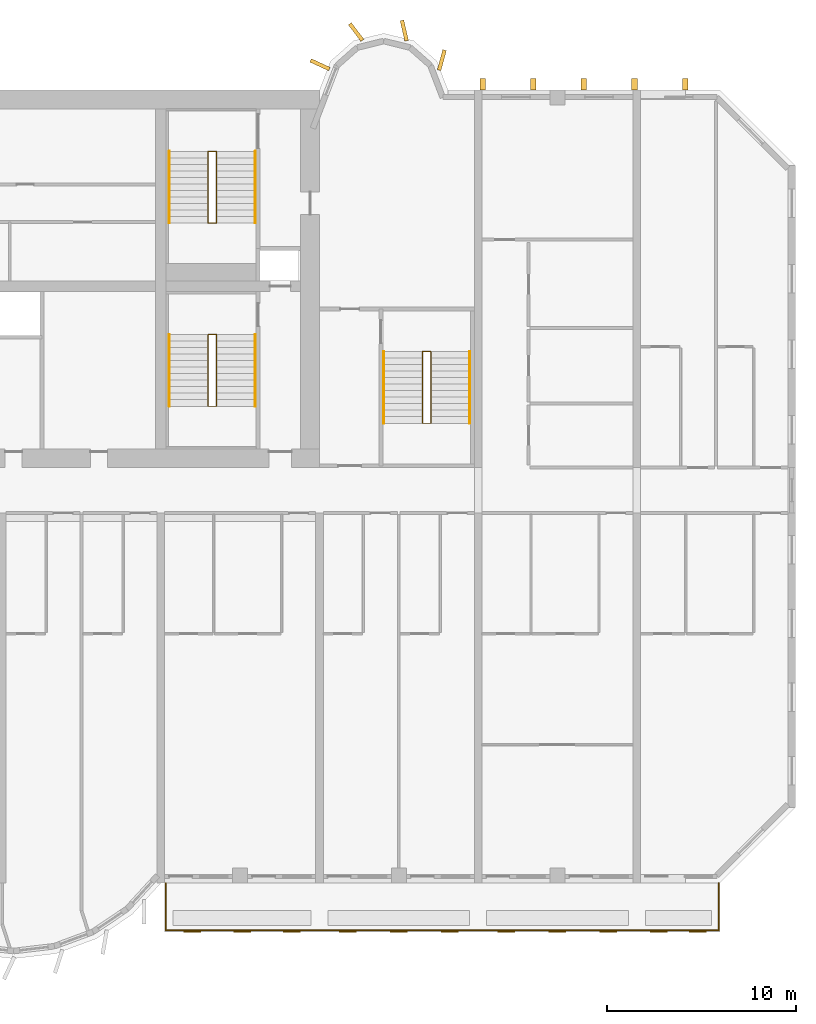
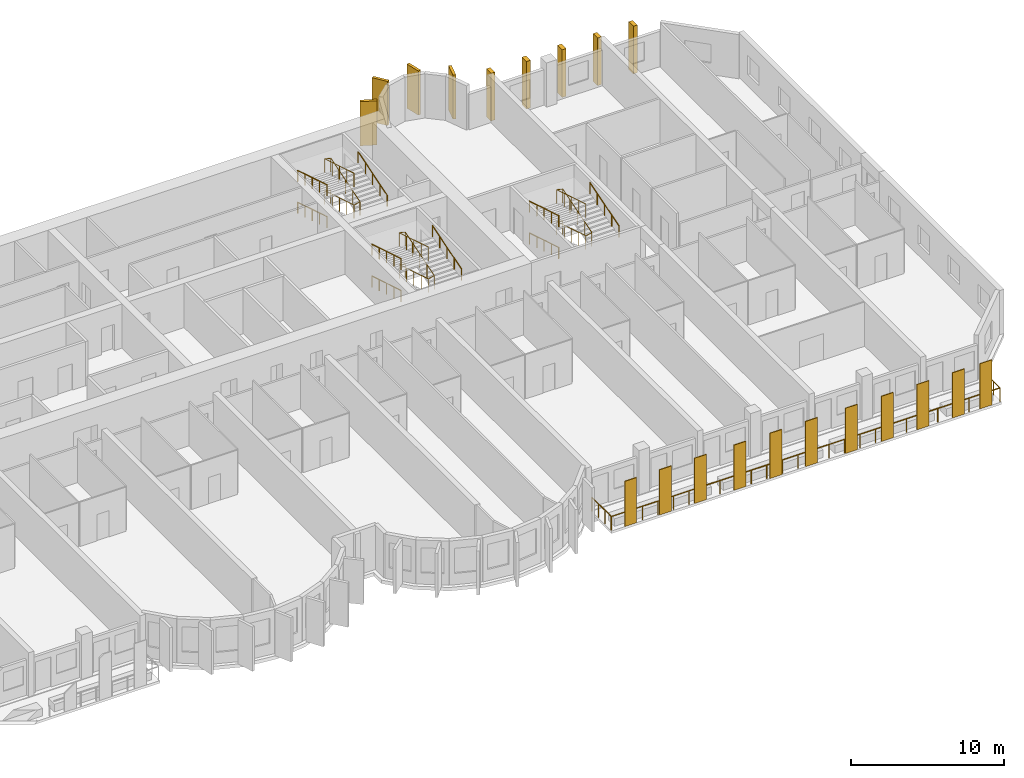
# One storey, part 14 of 15: 20 coverings, 13 railings.
"""IFC4 building model written with IfcOpenShell, lengths in metres."""

from ifc_helpers import new_model, si_unit, direction, frame, origin, origin_2d, place, context, subcontext, project, spatial, rectangle, circle, extrude, source, transform, mapped, material, layer, layer_set, material_profile, profile_set, type_object, element, save


model = new_model("IFC4")

# Units and contexts
model_context = context("Model", 3, precision=1e-05, world=origin(), true_north=direction((0.0, 1.0)))
body_context = subcontext(model_context, "Body", "Model", "MODEL_VIEW")
ifc_project = project(units=[si_unit("LENGTHUNIT", "METRE"), si_unit("AREAUNIT", "SQUARE_METRE"), si_unit("VOLUMEUNIT", "CUBIC_METRE"), si_unit("PLANEANGLEUNIT", "RADIAN"), si_unit("MASSUNIT", "GRAM", prefix="KILO")], contexts=[model_context])

# Site, building, storey
site_placement = place(None, origin())
site = spatial("IfcSite", under=ifc_project, at=site_placement, CompositionType="ELEMENT")
building_placement = place(site_placement, origin())
building = spatial("IfcBuilding", under=site, at=building_placement, Name="Vanashikhar Sky Hotel", CompositionType="ELEMENT")
storey_placement = place(building_placement, frame((0.0, 0.0, 46.800048828125)))
storey = spatial("IfcBuildingStorey", under=building, at=storey_placement, Name="L10", CompositionType="ELEMENT", Elevation=46.800048828125)

# Railing
ifc_material_1 = material(Name="Stainless steel 316", Category="steel")
railing_type_1 = type_object("IfcRailingType", Name="Balcony guard 1100", PredefinedType="GUARDRAIL", material=ifc_material_1)
shared_shape_1 = source(origin(), body_context, "Body", "SweptSolid", [
    extrude(circle(Radius=0.02392578125, at=origin_2d()), frame((0.0, 0.0, 1.076171875), z_axis=(0.0, -1.0, 0.0), x_axis=(1.0, 0.0, 0.0)), (0.0, 0.0, 1.0), 2.5),
    extrude(circle(Radius=0.02392578125, at=origin_2d()), frame((0.0, -2.5, 1.076171875), z_axis=(1.0, 0.0, 0.0), x_axis=(0.0, 1.0, 0.0)), (0.0, 0.0, 1.0), 29.280029296875),
    extrude(circle(Radius=0.02392578125, at=origin_2d()), frame((29.280029296875, -2.5, 1.076171875), z_axis=(0.0, 1.0, 0.0), x_axis=(-1.0, 0.0, 0.0)), (0.0, 0.0, 1.0), 2.5),
    extrude(circle(Radius=0.02099609375, at=origin_2d()), origin(), (0.0, 0.0, 1.0), 1.052001953125),
    extrude(circle(Radius=0.02099609375, at=origin_2d()), frame((0.0, -0.833251953125, 0.0)), (0.0, 0.0, 1.0), 1.052001953125),
    extrude(circle(Radius=0.02099609375, at=origin_2d()), frame((0.0, -1.666748046875, 0.0)), (0.0, 0.0, 1.0), 1.052001953125),
    extrude(circle(Radius=0.02099609375, at=origin_2d()), frame((0.0, -2.5, 0.0)), (0.0, 0.0, 1.0), 1.052001953125),
    extrude(circle(Radius=0.02099609375, at=origin_2d()), frame((1.171142578125, -2.5, 0.0)), (0.0, 0.0, 1.0), 1.052001953125),
    extrude(circle(Radius=0.02099609375, at=origin_2d()), frame((2.34228515625, -2.5, 0.0)), (0.0, 0.0, 1.0), 1.052001953125),
    extrude(circle(Radius=0.02099609375, at=origin_2d()), frame((3.513671875, -2.5, 0.0)), (0.0, 0.0, 1.0), 1.052001953125),
    extrude(circle(Radius=0.02099609375, at=origin_2d()), frame((4.684814453125, -2.5, 0.0)), (0.0, 0.0, 1.0), 1.052001953125),
    extrude(circle(Radius=0.02099609375, at=origin_2d()), frame((5.85595703125, -2.5, 0.0)), (0.0, 0.0, 1.0), 1.052001953125),
    extrude(circle(Radius=0.02099609375, at=origin_2d()), frame((7.027099609375, -2.5, 0.0)), (0.0, 0.0, 1.0), 1.052001953125),
    extrude(circle(Radius=0.02099609375, at=origin_2d()), frame((8.198486328125, -2.5, 0.0)), (0.0, 0.0, 1.0), 1.052001953125),
    extrude(circle(Radius=0.02099609375, at=origin_2d()), frame((9.36962890625, -2.5, 0.0)), (0.0, 0.0, 1.0), 1.052001953125),
    extrude(circle(Radius=0.02099609375, at=origin_2d()), frame((10.540771484375, -2.5, 0.0)), (0.0, 0.0, 1.0), 1.052001953125),
    extrude(circle(Radius=0.02099609375, at=origin_2d()), frame((11.7119140625, -2.5, 0.0)), (0.0, 0.0, 1.0), 1.052001953125),
    extrude(circle(Radius=0.02099609375, at=origin_2d()), frame((12.88330078125, -2.5, 0.0)), (0.0, 0.0, 1.0), 1.052001953125),
    extrude(circle(Radius=0.02099609375, at=origin_2d()), frame((14.054443359375, -2.5, 0.0)), (0.0, 0.0, 1.0), 1.052001953125),
    extrude(circle(Radius=0.02099609375, at=origin_2d()), frame((15.2255859375, -2.5, 0.0)), (0.0, 0.0, 1.0), 1.052001953125),
    extrude(circle(Radius=0.02099609375, at=origin_2d()), frame((16.396728515625, -2.5, 0.0)), (0.0, 0.0, 1.0), 1.052001953125),
    extrude(circle(Radius=0.02099609375, at=origin_2d()), frame((17.568115234375, -2.5, 0.0)), (0.0, 0.0, 1.0), 1.052001953125),
    extrude(circle(Radius=0.02099609375, at=origin_2d()), frame((18.7392578125, -2.5, 0.0)), (0.0, 0.0, 1.0), 1.052001953125),
    extrude(circle(Radius=0.02099609375, at=origin_2d()), frame((19.910400390625, -2.5, 0.0)), (0.0, 0.0, 1.0), 1.052001953125),
    extrude(circle(Radius=0.02099609375, at=origin_2d()), frame((21.08154296875, -2.5, 0.0)), (0.0, 0.0, 1.0), 1.052001953125),
    extrude(circle(Radius=0.02099609375, at=origin_2d()), frame((22.2529296875, -2.5, 0.0)), (0.0, 0.0, 1.0), 1.052001953125),
    extrude(circle(Radius=0.02099609375, at=origin_2d()), frame((23.424072265625, -2.5, 0.0)), (0.0, 0.0, 1.0), 1.052001953125),
    extrude(circle(Radius=0.02099609375, at=origin_2d()), frame((24.59521484375, -2.5, 0.0)), (0.0, 0.0, 1.0), 1.052001953125),
    extrude(circle(Radius=0.02099609375, at=origin_2d()), frame((25.766357421875, -2.5, 0.0)), (0.0, 0.0, 1.0), 1.052001953125),
    extrude(circle(Radius=0.02099609375, at=origin_2d()), frame((26.937744140625, -2.5, 0.0)), (0.0, 0.0, 1.0), 1.052001953125),
    extrude(circle(Radius=0.02099609375, at=origin_2d()), frame((28.10888671875, -2.5, 0.0)), (0.0, 0.0, 1.0), 1.052001953125),
    extrude(circle(Radius=0.02099609375, at=origin_2d()), frame((29.280029296875, -2.5, 0.0)), (0.0, 0.0, 1.0), 1.052001953125),
    extrude(circle(Radius=0.02099609375, at=origin_2d()), frame((29.280029296875, -1.666748046875, 0.0)), (0.0, 0.0, 1.0), 1.052001953125),
    extrude(circle(Radius=0.02099609375, at=origin_2d()), frame((29.280029296875, -0.833251953125, 0.0)), (0.0, 0.0, 1.0), 1.052001953125),
    extrude(circle(Radius=0.02099609375, at=origin_2d()), frame((29.280029296875, 0.0, 0.0)), (0.0, 0.0, 1.0), 1.052001953125),
])
railing_1_placement = place(storey_placement, frame((67.4599609375, 0.0, -0.050048828125)))
element("IfcRailing", 1, at=railing_1_placement, inside=storey, type_object=railing_type_1, Name="Balcony guard", PredefinedType="GUARDRAIL", context=body_context, shape_type="MappedRepresentation", body=[
    mapped(shared_shape_1, transform((0.0, 0.0, 0.0), scale=1.0)),
])

# Coverings
ifc_material_2 = material(Name="Terracotta", Category="masonry")
ifc_layer = layer(ifc_material_2, 0.06005859375)
ifc_layer_set = layer_set([ifc_layer], Name="Terracotta baguette screen")
covering_type_1 = type_object("IfcCoveringType", Name="Terracotta baguette screen", PredefinedType="CLADDING", material=ifc_layer_set)
shared_shape_2 = source(origin(), body_context, "Body", "SweptSolid", [
    extrude(rectangle(XDim=0.89990234375, YDim=0.06005859375, at=origin_2d()), origin(), (0.0, 0.0, 1.0), 3.60009765625),
])
for number, where, z_axis, x_axis, name in (
    (2, (68.86669921875, -2.570068359375, -0.050048828125), (0.0, 0.0, 1.0), (1.0, 0.0, 0.0), "Terracotta screen"),
    (3, (71.5, -2.570068359375, -0.050048828125), (0.0, 0.0, 1.0), (1.0, 0.0, 0.0), "Terracotta screen"),
    (4, (74.13330078125, -2.570068359375, -0.050048828125), (0.0, 0.0, 1.0), (1.0, 0.0, 0.0), "Terracotta screen"),
    (5, (77.10009765625, -2.570068359375, -0.050048828125), (0.0, 0.0, 1.0), (1.0, 0.0, 0.0), "Terracotta screen"),
    (6, (79.800048828125, -2.570068359375, -0.050048828125), (0.0, 0.0, 1.0), (1.0, 0.0, 0.0), "Terracotta screen"),
    (7, (82.5, -2.570068359375, -0.050048828125), (0.0, 0.0, 1.0), (1.0, 0.0, 0.0), "Terracotta screen"),
    (8, (85.5, -2.570068359375, -0.050048828125), (0.0, 0.0, 1.0), (1.0, 0.0, 0.0), "Terracotta screen"),
    (9, (88.199951171875, -2.570068359375, -0.050048828125), (0.0, 0.0, 1.0), (1.0, 0.0, 0.0), "Terracotta screen"),
    (10, (90.89990234375, -2.570068359375, -0.050048828125), (0.0, 0.0, 1.0), (1.0, 0.0, 0.0), "Terracotta screen"),
    (11, (93.574951171875, -2.570068359375, -0.050048828125), (0.0, 0.0, 1.0), (1.0, 0.0, 0.0), "Terracotta screen"),
    (12, (95.625, -2.570068359375, -0.050048828125), (0.0, 0.0, 1.0), (1.0, 0.0, 0.0), "Terracotta screen"),
):
    element("IfcCovering", number, at=place(storey_placement, frame(where, z_axis=z_axis, x_axis=x_axis)), inside=storey, type_object=covering_type_1, Name=name, PredefinedType="CLADDING", context=body_context, shape_type="MappedRepresentation", body=[
        mapped(shared_shape_2, transform((0.0, 0.0, 0.0), scale=1.0)),
    ])
ifc_material_3 = material(Name="Concrete M60 dark", Category="concrete")
ifc_material_profile_1 = material_profile(ifc_material_3, rectangle(XDim=1.10009765625, YDim=0.199951171875, at=origin_2d()))
ifc_profile_set_1 = profile_set([ifc_material_profile_1], Name="Rear lobe fin 1100 x 200")
covering_type_2 = type_object("IfcCoveringType", Name="Rear lobe fin 1100 x 200", PredefinedType="CLADDING", material=ifc_profile_set_1)
shared_shape_3 = source(origin(), body_context, "Body", "SweptSolid", [
    extrude(rectangle(XDim=1.10009765625, YDim=0.199951171875, at=origin_2d()), origin(), (0.0, 0.0, 1.0), 3.52001953125),
])
for number, where, z_axis, x_axis, name in (
    (13, (75.63037109375, 43.33447265625, 0.0), (0.0, 0.0, 1.0), (-0.908004291068, 0.418960866193, 0.0), "Fin R2-1"),
    (14, (77.5380859375, 45.06640625, 0.0), (0.0, 0.0, 1.0), (-0.602065892195, 0.798446404874, 0.0), "Fin R2-2"),
    (15, (80.08984375, 45.1455078125, 0.0), (0.0, 0.0, 1.0), (-0.224644935864, 0.974440687159, 0.0), "Fin R2-3"),
    (16, (82.0791015625, 43.580078125, 0.0), (0.0, 0.0, 1.0), (0.262711264409, 0.964874495234, 0.0), "Fin R2-4"),
):
    element("IfcCovering", number, at=place(storey_placement, frame(where, z_axis=z_axis, x_axis=x_axis)), inside=storey, type_object=covering_type_2, Name=name, PredefinedType="CLADDING", context=body_context, shape_type="MappedRepresentation", body=[
        mapped(shared_shape_3, transform((0.0, 0.0, 0.0), scale=1.0)),
    ])
ifc_material_profile_2 = material_profile(ifc_material_3, rectangle(XDim=0.60009765625, YDim=0.300048828125, at=origin_2d()))
ifc_profile_set_2 = profile_set([ifc_material_profile_2], Name="Rear rib 600 x 300")
covering_type_3 = type_object("IfcCoveringType", Name="Rear rib 600 x 300", PredefinedType="CLADDING", material=ifc_profile_set_2)
shared_shape_4 = source(origin(), body_context, "Body", "SweptSolid", [
    extrude(rectangle(XDim=0.60009765625, YDim=0.300048828125, at=origin_2d()), origin(), (0.0, 0.0, 1.0), 3.800048828125),
])
for number, where, z_axis, x_axis, name in (
    (17, (84.239990234375, 42.300048828125, -0.280029296875), (0.0, 0.0, 1.0), (0.0, 1.0, 0.0), "Rear rib"),
    (18, (86.919921875, 42.300048828125, -0.280029296875), (0.0, 0.0, 1.0), (0.0, 1.0, 0.0), "Rear rib"),
    (19, (89.60009765625, 42.300048828125, -0.280029296875), (0.0, 0.0, 1.0), (0.0, 1.0, 0.0), "Rear rib"),
    (20, (92.280029296875, 42.300048828125, -0.280029296875), (0.0, 0.0, 1.0), (0.0, 1.0, 0.0), "Rear rib"),
    (21, (94.9599609375, 42.300048828125, -0.280029296875), (0.0, 0.0, 1.0), (0.0, 1.0, 0.0), "Rear rib"),
):
    element("IfcCovering", number, at=place(storey_placement, frame(where, z_axis=z_axis, x_axis=x_axis)), inside=storey, type_object=covering_type_3, Name=name, PredefinedType="CLADDING", context=body_context, shape_type="MappedRepresentation", body=[
        mapped(shared_shape_4, transform((0.0, 0.0, 0.0), scale=1.0)),
    ])

# Railings
ifc_material_4 = material(Name="Steel S355", Category="steel")
railing_type_2 = type_object("IfcRailingType", Name="Stair handrail 900", PredefinedType="HANDRAIL", material=ifc_material_4)
shared_shape_5 = source(origin(), body_context, "Body", "SweptSolid", [
    extrude(circle(Radius=0.02392578125, at=origin_2d()), frame((0.0, 0.0, 0.8759765625), z_axis=(0.0, 0.95635109408, 0.292220096591), x_axis=(-1.0, 0.0, 0.0)), (0.0, 0.0, 1.0), 3.973388671875),
    extrude(circle(Radius=0.02099609375, at=origin_2d()), origin(), (0.0, 0.0, 1.0), 0.851806640625),
    extrude(circle(Radius=0.02099609375, at=origin_2d()), frame((0.0, 0.949951171875, 0.290283203125)), (0.0, 0.0, 1.0), 0.851806640625),
    extrude(circle(Radius=0.02099609375, at=origin_2d()), frame((0.0, 1.89990234375, 0.58056640625)), (0.0, 0.0, 1.0), 0.851806640625),
    extrude(circle(Radius=0.02099609375, at=origin_2d()), frame((0.0, 2.85009765625, 0.870849609375)), (0.0, 0.0, 1.0), 0.851806640625),
    extrude(circle(Radius=0.02099609375, at=origin_2d()), frame((0.0, 3.800048828125, 1.1611328125)), (0.0, 0.0, 1.0), 0.851806640625),
])
for number, where, name in (
    (22, (72.199951171875, 25.25, 1.3720703125), "Exit stair 2 handrail"),
    (23, (72.199951171875, 34.949951171875, 1.3720703125), "Exit stair 6 handrail"),
):
    element("IfcRailing", number, at=place(storey_placement, frame(where)), inside=storey, type_object=railing_type_2, Name=name, PredefinedType="HANDRAIL", context=body_context, shape_type="MappedRepresentation", body=[
        mapped(shared_shape_5, transform((0.0, 0.0, 0.0), scale=1.0)),
    ])
shared_shape_6 = source(origin(), body_context, "Body", "SweptSolid", [
    extrude(circle(Radius=0.02392578125, at=origin_2d()), frame((0.0, 0.0, 0.8759765625), z_axis=(0.0, -0.95635109408, 0.292220096591), x_axis=(1.0, 0.0, 0.0)), (0.0, 0.0, 1.0), 3.973388671875),
    extrude(circle(Radius=0.02099609375, at=origin_2d()), origin(), (0.0, 0.0, 1.0), 0.851806640625),
    extrude(circle(Radius=0.02099609375, at=origin_2d()), frame((0.0, -0.949951171875, 0.290283203125)), (0.0, 0.0, 1.0), 0.851806640625),
    extrude(circle(Radius=0.02099609375, at=origin_2d()), frame((0.0, -1.89990234375, 0.58056640625)), (0.0, 0.0, 1.0), 0.851806640625),
    extrude(circle(Radius=0.02099609375, at=origin_2d()), frame((0.0, -2.85009765625, 0.870849609375)), (0.0, 0.0, 1.0), 0.851806640625),
    extrude(circle(Radius=0.02099609375, at=origin_2d()), frame((0.0, -3.800048828125, 1.1611328125)), (0.0, 0.0, 1.0), 0.851806640625),
])
for number, where, name in (
    (24, (67.64990234375, 29.050048828125, 0.10546875), "Exit stair 2 handrail"),
    (25, (67.64990234375, 29.050048828125, 2.638916015625), "Exit stair 2 handrail"),
    (26, (67.64990234375, 38.75, 0.10546875), "Exit stair 6 handrail"),
    (27, (67.64990234375, 38.75, 2.638916015625), "Exit stair 6 handrail"),
):
    element("IfcRailing", number, at=place(storey_placement, frame(where)), inside=storey, type_object=railing_type_2, Name=name, PredefinedType="HANDRAIL", context=body_context, shape_type="MappedRepresentation", body=[
        mapped(shared_shape_6, transform((0.0, 0.0, 0.0), scale=1.0)),
    ])
railing_type_3 = type_object("IfcRailingType", Name="Stair guard 1100", PredefinedType="GUARDRAIL", material=ifc_material_4)
shared_shape_7 = source(origin(), body_context, "Body", "SweptSolid", [
    extrude(circle(Radius=0.02392578125, at=origin_2d()), frame((0.0, 0.0, 1.076171875), z_axis=(-0.973610808694, 0.0, 0.228214796178), x_axis=(0.0, -1.0, 0.0)), (0.0, 0.0, 1.0), 0.462158203125),
    extrude(circle(Radius=0.02392578125, at=origin_2d()), frame((-0.449951171875, 0.0, 1.181640625), z_axis=(0.0, -0.95635109408, 0.292220096591), x_axis=(1.0, 0.0, 0.0)), (0.0, 0.0, 1.0), 3.973388671875),
    extrude(circle(Radius=0.02392578125, at=origin_2d()), frame((-0.449951171875, -3.800048828125, 2.3427734375), z_axis=(0.973610808694, 0.0, 0.228214796178), x_axis=(0.0, 1.0, 0.0)), (0.0, 0.0, 1.0), 0.462158203125),
    extrude(circle(Radius=0.02392578125, at=origin_2d()), frame((0.0, -3.800048828125, 2.4482421875), z_axis=(0.0, 0.95635109408, 0.292220096591), x_axis=(-1.0, 0.0, 0.0)), (0.0, 0.0, 1.0), 3.973388671875),
    extrude(circle(Radius=0.02392578125, at=origin_2d()), frame((0.0, 0.0, 3.609375), z_axis=(-0.973493315427, 0.0, 0.228715466945), x_axis=(0.0, -1.0, 0.0)), (0.0, 0.0, 1.0), 0.462158203125),
    extrude(circle(Radius=0.02392578125, at=origin_2d()), frame((-0.449951171875, 0.0, 3.71484375), z_axis=(0.0, -0.95635109408, 0.292220096591), x_axis=(1.0, 0.0, 0.0)), (0.0, 0.0, 1.0), 3.973388671875),
    extrude(circle(Radius=0.02099609375, at=origin_2d()), origin(), (0.0, 0.0, 1.0), 1.052001953125),
    extrude(circle(Radius=0.02099609375, at=origin_2d()), frame((-0.449951171875, 0.0, 0.10546875)), (0.0, 0.0, 1.0), 1.052001953125),
    extrude(circle(Radius=0.02099609375, at=origin_2d()), frame((-0.449951171875, -0.949951171875, 0.395751953125)), (0.0, 0.0, 1.0), 1.052001953125),
    extrude(circle(Radius=0.02099609375, at=origin_2d()), frame((-0.449951171875, -1.89990234375, 0.68603515625)), (0.0, 0.0, 1.0), 1.052001953125),
    extrude(circle(Radius=0.02099609375, at=origin_2d()), frame((-0.449951171875, -2.85009765625, 0.976318359375)), (0.0, 0.0, 1.0), 1.052001953125),
    extrude(circle(Radius=0.02099609375, at=origin_2d()), frame((-0.449951171875, -3.800048828125, 1.2666015625)), (0.0, 0.0, 1.0), 1.052001953125),
    extrude(circle(Radius=0.02099609375, at=origin_2d()), frame((0.0, -3.800048828125, 1.3720703125)), (0.0, 0.0, 1.0), 1.052001953125),
    extrude(circle(Radius=0.02099609375, at=origin_2d()), frame((0.0, -2.85009765625, 1.662353515625)), (0.0, 0.0, 1.0), 1.052001953125),
    extrude(circle(Radius=0.02099609375, at=origin_2d()), frame((0.0, -1.89990234375, 1.95263671875)), (0.0, 0.0, 1.0), 1.052001953125),
    extrude(circle(Radius=0.02099609375, at=origin_2d()), frame((0.0, -0.949951171875, 2.242919921875)), (0.0, 0.0, 1.0), 1.052001953125),
    extrude(circle(Radius=0.02099609375, at=origin_2d()), frame((0.0, 0.0, 2.533203125)), (0.0, 0.0, 1.0), 1.052001953125),
    extrude(circle(Radius=0.02099609375, at=origin_2d()), frame((-0.449951171875, 0.0, 2.638916015625)), (0.0, 0.0, 1.0), 1.052001953125),
    extrude(circle(Radius=0.02099609375, at=origin_2d()), frame((-0.449951171875, -0.949951171875, 2.92919921875)), (0.0, 0.0, 1.0), 1.052001953125),
    extrude(circle(Radius=0.02099609375, at=origin_2d()), frame((-0.449951171875, -1.89990234375, 3.219482421875)), (0.0, 0.0, 1.0), 1.052001953125),
    extrude(circle(Radius=0.02099609375, at=origin_2d()), frame((-0.449951171875, -2.85009765625, 3.509765625)), (0.0, 0.0, 1.0), 1.052001953125),
    extrude(circle(Radius=0.02099609375, at=origin_2d()), frame((-0.449951171875, -3.800048828125, 3.800048828125)), (0.0, 0.0, 1.0), 1.052001953125),
])
for number, where, name in (
    (28, (70.14990234375, 29.050048828125, 0.0), "Exit stair 2 guard"),
    (29, (70.14990234375, 38.75, 0.0), "Exit stair 6 guard"),
):
    element("IfcRailing", number, at=place(storey_placement, frame(where)), inside=storey, type_object=railing_type_3, Name=name, PredefinedType="GUARDRAIL", context=body_context, shape_type="MappedRepresentation", body=[
        mapped(shared_shape_7, transform((0.0, 0.0, 0.0), scale=1.0)),
    ])
shared_shape_8 = source(origin(), body_context, "Body", "SweptSolid", [
    extrude(circle(Radius=0.02392578125, at=origin_2d()), frame((0.0, 0.0, 0.8759765625), z_axis=(0.0, 0.956345846891, 0.292237268557), x_axis=(-1.0, 0.0, 0.0)), (0.0, 0.0, 1.0), 3.97314453125),
    extrude(circle(Radius=0.02099609375, at=origin_2d()), origin(), (0.0, 0.0, 1.0), 0.851806640625),
    extrude(circle(Radius=0.02099609375, at=origin_2d()), frame((0.0, 0.949951171875, 0.290283203125)), (0.0, 0.0, 1.0), 0.851806640625),
    extrude(circle(Radius=0.02099609375, at=origin_2d()), frame((0.0, 1.89990234375, 0.58056640625)), (0.0, 0.0, 1.0), 0.851806640625),
    extrude(circle(Radius=0.02099609375, at=origin_2d()), frame((0.0, 2.849853515625, 0.870849609375)), (0.0, 0.0, 1.0), 0.851806640625),
    extrude(circle(Radius=0.02099609375, at=origin_2d()), frame((0.0, 3.7998046875, 1.1611328125)), (0.0, 0.0, 1.0), 0.851806640625),
])
railing_2_placement = place(storey_placement, frame((83.550048828125, 24.35009765625, 1.3720703125)))
element("IfcRailing", 30, at=railing_2_placement, inside=storey, type_object=railing_type_2, Name="Exit stair 4 handrail", PredefinedType="HANDRAIL", context=body_context, shape_type="MappedRepresentation", body=[
    mapped(shared_shape_8, transform((0.0, 0.0, 0.0), scale=1.0)),
])
shared_shape_9 = source(origin(), body_context, "Body", "SweptSolid", [
    extrude(circle(Radius=0.02392578125, at=origin_2d()), frame((0.0, 0.0, 0.8759765625), z_axis=(0.0, -0.956345846891, 0.292237268557), x_axis=(1.0, 0.0, 0.0)), (0.0, 0.0, 1.0), 3.97314453125),
    extrude(circle(Radius=0.02099609375, at=origin_2d()), origin(), (0.0, 0.0, 1.0), 0.851806640625),
    extrude(circle(Radius=0.02099609375, at=origin_2d()), frame((0.0, -0.949951171875, 0.290283203125)), (0.0, 0.0, 1.0), 0.851806640625),
    extrude(circle(Radius=0.02099609375, at=origin_2d()), frame((0.0, -1.89990234375, 0.58056640625)), (0.0, 0.0, 1.0), 0.851806640625),
    extrude(circle(Radius=0.02099609375, at=origin_2d()), frame((0.0, -2.849853515625, 0.870849609375)), (0.0, 0.0, 1.0), 0.851806640625),
    extrude(circle(Radius=0.02099609375, at=origin_2d()), frame((0.0, -3.7998046875, 1.1611328125)), (0.0, 0.0, 1.0), 0.851806640625),
])
for number, where, name in (
    (31, (79.0, 28.14990234375, 0.10546875), "Exit stair 4 handrail"),
    (32, (79.0, 28.14990234375, 2.638916015625), "Exit stair 4 handrail"),
):
    element("IfcRailing", number, at=place(storey_placement, frame(where)), inside=storey, type_object=railing_type_2, Name=name, PredefinedType="HANDRAIL", context=body_context, shape_type="MappedRepresentation", body=[
        mapped(shared_shape_9, transform((0.0, 0.0, 0.0), scale=1.0)),
    ])
shared_shape_10 = source(origin(), body_context, "Body", "SweptSolid", [
    extrude(circle(Radius=0.02392578125, at=origin_2d()), frame((0.0, 0.0, 1.076171875), z_axis=(-0.973610808694, 0.0, 0.228214796178), x_axis=(0.0, -1.0, 0.0)), (0.0, 0.0, 1.0), 0.462158203125),
    extrude(circle(Radius=0.02392578125, at=origin_2d()), frame((-0.449951171875, 0.0, 1.181640625), z_axis=(0.0, -0.956345846891, 0.292237268557), x_axis=(1.0, 0.0, 0.0)), (0.0, 0.0, 1.0), 3.97314453125),
    extrude(circle(Radius=0.02392578125, at=origin_2d()), frame((-0.449951171875, -3.7998046875, 2.3427734375), z_axis=(0.973610808694, 0.0, 0.228214796178), x_axis=(0.0, 1.0, 0.0)), (0.0, 0.0, 1.0), 0.462158203125),
    extrude(circle(Radius=0.02392578125, at=origin_2d()), frame((0.0, -3.7998046875, 2.4482421875), z_axis=(0.0, 0.956345846891, 0.292237268557), x_axis=(-1.0, 0.0, 0.0)), (0.0, 0.0, 1.0), 3.97314453125),
    extrude(circle(Radius=0.02392578125, at=origin_2d()), frame((0.0, 0.0, 3.609375), z_axis=(-0.973493315427, 0.0, 0.228715466945), x_axis=(0.0, -1.0, 0.0)), (0.0, 0.0, 1.0), 0.462158203125),
    extrude(circle(Radius=0.02392578125, at=origin_2d()), frame((-0.449951171875, 0.0, 3.71484375), z_axis=(0.0, -0.956345846891, 0.292237268557), x_axis=(1.0, 0.0, 0.0)), (0.0, 0.0, 1.0), 3.97314453125),
    extrude(circle(Radius=0.02099609375, at=origin_2d()), origin(), (0.0, 0.0, 1.0), 1.052001953125),
    extrude(circle(Radius=0.02099609375, at=origin_2d()), frame((-0.449951171875, 0.0, 0.10546875)), (0.0, 0.0, 1.0), 1.052001953125),
    extrude(circle(Radius=0.02099609375, at=origin_2d()), frame((-0.449951171875, -0.949951171875, 0.395751953125)), (0.0, 0.0, 1.0), 1.052001953125),
    extrude(circle(Radius=0.02099609375, at=origin_2d()), frame((-0.449951171875, -1.89990234375, 0.68603515625)), (0.0, 0.0, 1.0), 1.052001953125),
    extrude(circle(Radius=0.02099609375, at=origin_2d()), frame((-0.449951171875, -2.849853515625, 0.976318359375)), (0.0, 0.0, 1.0), 1.052001953125),
    extrude(circle(Radius=0.02099609375, at=origin_2d()), frame((-0.449951171875, -3.7998046875, 1.2666015625)), (0.0, 0.0, 1.0), 1.052001953125),
    extrude(circle(Radius=0.02099609375, at=origin_2d()), frame((0.0, -3.7998046875, 1.3720703125)), (0.0, 0.0, 1.0), 1.052001953125),
    extrude(circle(Radius=0.02099609375, at=origin_2d()), frame((0.0, -2.849853515625, 1.662353515625)), (0.0, 0.0, 1.0), 1.052001953125),
    extrude(circle(Radius=0.02099609375, at=origin_2d()), frame((0.0, -1.89990234375, 1.95263671875)), (0.0, 0.0, 1.0), 1.052001953125),
    extrude(circle(Radius=0.02099609375, at=origin_2d()), frame((0.0, -0.949951171875, 2.242919921875)), (0.0, 0.0, 1.0), 1.052001953125),
    extrude(circle(Radius=0.02099609375, at=origin_2d()), frame((0.0, 0.0, 2.533203125)), (0.0, 0.0, 1.0), 1.052001953125),
    extrude(circle(Radius=0.02099609375, at=origin_2d()), frame((-0.449951171875, 0.0, 2.638916015625)), (0.0, 0.0, 1.0), 1.052001953125),
    extrude(circle(Radius=0.02099609375, at=origin_2d()), frame((-0.449951171875, -0.949951171875, 2.92919921875)), (0.0, 0.0, 1.0), 1.052001953125),
    extrude(circle(Radius=0.02099609375, at=origin_2d()), frame((-0.449951171875, -1.89990234375, 3.219482421875)), (0.0, 0.0, 1.0), 1.052001953125),
    extrude(circle(Radius=0.02099609375, at=origin_2d()), frame((-0.449951171875, -2.849853515625, 3.509765625)), (0.0, 0.0, 1.0), 1.052001953125),
    extrude(circle(Radius=0.02099609375, at=origin_2d()), frame((-0.449951171875, -3.7998046875, 3.800048828125)), (0.0, 0.0, 1.0), 1.052001953125),
])
railing_3_placement = place(storey_placement, frame((81.5, 28.14990234375, 0.0)))
element("IfcRailing", 33, at=railing_3_placement, inside=storey, type_object=railing_type_3, Name="Exit stair 4 guard", PredefinedType="GUARDRAIL", context=body_context, shape_type="MappedRepresentation", body=[
    mapped(shared_shape_10, transform((0.0, 0.0, 0.0), scale=1.0)),
])

save(model, "model.ifc")
